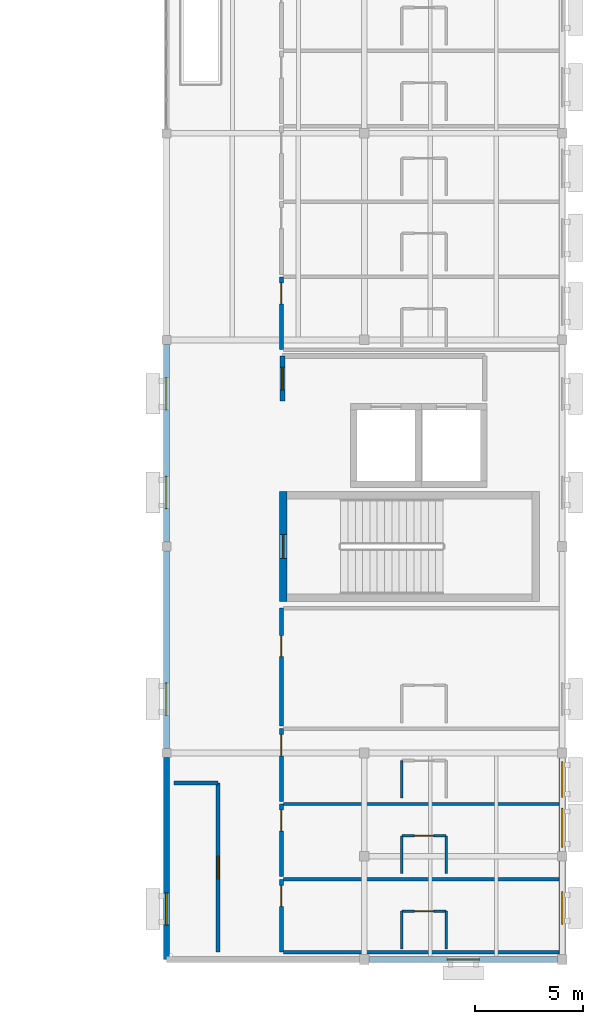
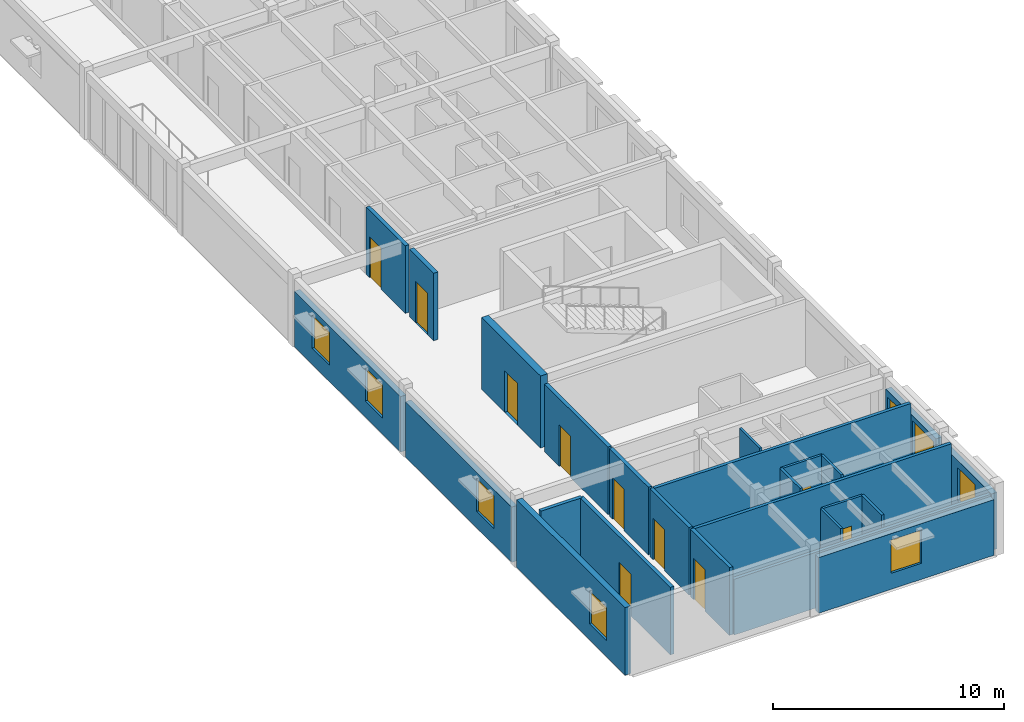
# One storey, part 6 of 17: 25 walls, 10 doors, 8 windows, 18 openings.
"""IFC4 building model written with IfcOpenShell, lengths in metres."""

from ifc_helpers import new_model, si_unit, direction, frame, frame_2d, origin, place, context, subcontext, project, spatial, rectangle, extrude, material, layer, layer_set, type_object, element, fill, save


model = new_model("IFC4")

# Units and contexts
model_context = context("Model", 3, precision=1e-05, world=origin(), true_north=direction((0.0, 1.0)))
body_context = subcontext(model_context, "Body", "Model", "MODEL_VIEW")
ifc_project = project(units=[si_unit("LENGTHUNIT", "METRE"), si_unit("AREAUNIT", "SQUARE_METRE"), si_unit("VOLUMEUNIT", "CUBIC_METRE"), si_unit("PLANEANGLEUNIT", "RADIAN"), si_unit("MASSUNIT", "GRAM", prefix="KILO")], contexts=[model_context])

# Site, building, storey
site_placement = place(None, origin())
site = spatial("IfcSite", under=ifc_project, at=site_placement, CompositionType="ELEMENT")
building_placement = place(site_placement, origin())
building = spatial("IfcBuilding", under=site, at=building_placement, Name="Veldera Park Congress Hotel", CompositionType="ELEMENT")
storey_placement = place(building_placement, frame((0.0, 0.0, 35.199951171875)))
storey = spatial("IfcBuildingStorey", under=building, at=storey_placement, Name="L08", CompositionType="ELEMENT", Elevation=35.199951171875)

# Wall, opening, window
ifc_material_1 = material(Name="Cross-laminated timber CLT V2M1.1", Category="wood")
ifc_layer_1 = layer(ifc_material_1, 0.280029296875)
ifc_layer_set_1 = layer_set([ifc_layer_1], Name="Cross-laminated timber CLT V2M1.1")
wall_type_1 = type_object("IfcWallType", Name="EW-CLT280", PredefinedType="STANDARD", material=ifc_layer_set_1)
wall_1_placement = place(storey_placement, frame((75.02294921875, -28.199951171875, 0.0), z_axis=(0.0, 0.0, 1.0), x_axis=(1.0, 0.0, 0.0)))
wall_1 = element("IfcWall", 1, at=wall_1_placement, inside=storey, type_object=wall_type_1, Name="L08 Exterior Wall EW3-L08-0370", PredefinedType="STANDARD", context=body_context, shape_type="SweptSolid", body=[
    extrude(rectangle(XDim=8.754150390625, YDim=0.280029296875, at=frame_2d((4.376953125, 0.0))), origin(), (0.0, 0.0, 1.0), 2.93994140625),
])
opening_1_placement = place(wall_1_placement, frame((3.626953125, 0.0, 0.85009765625)))
opening_1 = element("IfcOpeningElement", 2, at=opening_1_placement, cuts=wall_1, Name="Opening WIN-1500", PredefinedType="OPENING", context=body_context, shape_type="SweptSolid", body=[
    extrude(rectangle(XDim=1.5, YDim=1.75, at=frame_2d((0.75, 0.875))), frame((0.0, 0.152099609375, 0.0), z_axis=(0.0, -1.0, 0.0), x_axis=(1.0, 0.0, 0.0)), (0.0, 0.0, 1.0), 0.303955078125),
])
ifc_material_2 = material(Name="Low-E Triple Insulating Glass Unit (SHGC 0.22)", Category="glass")
window_type_1 = type_object("IfcWindowType", Name="WIN-1500", PartitioningType="SINGLE_PANEL", PredefinedType="WINDOW", material=ifc_material_2)
window_1_placement = place(opening_1_placement, origin())
window_1 = element("IfcWindow", 3, at=window_1_placement, inside=storey, type_object=window_type_1, Name="L08 Window WIN-1500 282", OverallHeight=1.75, OverallWidth=1.5, PartitioningType="SINGLE_PANEL", PredefinedType="WINDOW", context=body_context, shape_type="SweptSolid", body=[
    extrude(rectangle(XDim=1.5, YDim=1.75, at=frame_2d((0.75, 0.875))), frame((0.0, 0.030029296875, 0.0), z_axis=(0.0, -1.0, 0.0), x_axis=(1.0, 0.0, 0.0)), (0.0, 0.0, 1.0), 0.06005859375),
])
fill(opening_1, window_1)

wall_2_placement = place(storey_placement, frame((84.0, -27.97705078125, 0.0), z_axis=(0.0, 0.0, 1.0), x_axis=(0.0, 1.0, 0.0)))
wall_2 = element("IfcWall", 4, at=wall_2_placement, inside=storey, type_object=wall_type_1, Name="L08 Exterior Wall EW3-L08-0371", PredefinedType="STANDARD", context=body_context, shape_type="SweptSolid", body=[
    extrude(rectangle(XDim=4.35400390625, YDim=0.280029296875, at=frame_2d((2.177001953125, 0.0))), origin(), (0.0, 0.0, 1.0), 2.97998046875),
])
opening_2_placement = place(wall_2_placement, frame((1.427001953125, 0.0, 0.85009765625)))
opening_2 = element("IfcOpeningElement", 5, at=opening_2_placement, cuts=wall_2, Name="Opening WIN-1500", PredefinedType="OPENING", context=body_context, shape_type="SweptSolid", body=[
    extrude(rectangle(XDim=1.5, YDim=1.75, at=frame_2d((0.75, 0.875))), frame((0.0, 0.152099609375, 0.0), z_axis=(0.0, -1.0, 0.0), x_axis=(1.0, 0.0, 0.0)), (0.0, 0.0, 1.0), 0.303955078125),
])
window_2_placement = place(opening_2_placement, origin())
window_2 = element("IfcWindow", 6, at=window_2_placement, inside=storey, type_object=window_type_1, Name="L08 Window WIN-1500 283", OverallHeight=1.75, OverallWidth=1.5, PartitioningType="SINGLE_PANEL", PredefinedType="WINDOW", context=body_context, shape_type="SweptSolid", body=[
    extrude(rectangle(XDim=1.5, YDim=1.75, at=frame_2d((0.75, 0.875))), frame((0.0, 0.030029296875, 0.0), z_axis=(0.0, -1.0, 0.0), x_axis=(1.0, 0.0, 0.0)), (0.0, 0.0, 1.0), 0.06005859375),
])
fill(opening_2, window_2)

# Wall, openings, windows
wall_3_placement = place(storey_placement, frame((84.0, -23.177001953125, 0.0), z_axis=(0.0, 0.0, 1.0), x_axis=(0.0, 1.0, 0.0)))
wall_3 = element("IfcWall", 7, at=wall_3_placement, inside=storey, type_object=wall_type_1, Name="L08 Exterior Wall EW3-L08-0372", PredefinedType="STANDARD", context=body_context, shape_type="SweptSolid", body=[
    extrude(rectangle(XDim=4.35400390625, YDim=0.280029296875, at=frame_2d((2.177001953125, 0.0))), origin(), (0.0, 0.0, 1.0), 2.97998046875),
])
opening_3_placement = place(wall_3_placement, frame((0.20361328125, 0.0, 0.85009765625)))
opening_3 = element("IfcOpeningElement", 8, at=opening_3_placement, cuts=wall_3, Name="Opening WIN-1800", PredefinedType="OPENING", context=body_context, shape_type="SweptSolid", body=[
    extrude(rectangle(XDim=1.800048828125, YDim=1.85009765625, at=frame_2d((0.89990234375, 0.925048828125))), frame((0.0, 0.152099609375, 0.0), z_axis=(0.0, -1.0, 0.0), x_axis=(1.0, 0.0, 0.0)), (0.0, 0.0, 1.0), 0.303955078125),
])
opening_4_placement = place(wall_3_placement, frame((2.515380859375, 0.0, 0.85009765625)))
opening_4 = element("IfcOpeningElement", 9, at=opening_4_placement, cuts=wall_3, Name="Opening WIN-1650", PredefinedType="OPENING", context=body_context, shape_type="SweptSolid", body=[
    extrude(rectangle(XDim=1.64990234375, YDim=1.800048828125, at=frame_2d((0.824951171875, 0.89990234375))), frame((0.0, 0.152099609375, 0.0), z_axis=(0.0, -1.0, 0.0), x_axis=(1.0, 0.0, 0.0)), (0.0, 0.0, 1.0), 0.303955078125),
])
window_type_2 = type_object("IfcWindowType", Name="WIN-1650", PartitioningType="SINGLE_PANEL", PredefinedType="WINDOW", material=ifc_material_2)
window_3_placement = place(opening_4_placement, origin())
window_3 = element("IfcWindow", 10, at=window_3_placement, inside=storey, type_object=window_type_2, Name="L08 Window WIN-1650 553", OverallHeight=1.800048828125, OverallWidth=1.64990234375, PartitioningType="SINGLE_PANEL", PredefinedType="WINDOW", context=body_context, shape_type="SweptSolid", body=[
    extrude(rectangle(XDim=1.64990234375, YDim=1.800048828125, at=frame_2d((0.824951171875, 0.89990234375))), frame((0.0, 0.030029296875, 0.0), z_axis=(0.0, -1.0, 0.0), x_axis=(1.0, 0.0, 0.0)), (0.0, 0.0, 1.0), 0.06005859375),
])
fill(opening_4, window_3)
window_type_3 = type_object("IfcWindowType", Name="WIN-1800", PartitioningType="SINGLE_PANEL", PredefinedType="WINDOW", material=ifc_material_2)
window_4_placement = place(opening_3_placement, origin())
window_4 = element("IfcWindow", 11, at=window_4_placement, inside=storey, type_object=window_type_3, Name="L08 Window WIN-1800 552", OverallHeight=1.85009765625, OverallWidth=1.800048828125, PartitioningType="SINGLE_PANEL", PredefinedType="WINDOW", context=body_context, shape_type="SweptSolid", body=[
    extrude(rectangle(XDim=1.800048828125, YDim=1.85009765625, at=frame_2d((0.89990234375, 0.925048828125))), frame((0.0, 0.030029296875, 0.0), z_axis=(0.0, -1.0, 0.0), x_axis=(1.0, 0.0, 0.0)), (0.0, 0.0, 1.0), 0.06005859375),
])
fill(opening_3, window_4)

wall_4_placement = place(storey_placement, frame((65.60009765625, 0.39208984375, 0.0), z_axis=(0.0, 0.0, 1.0), x_axis=(0.0, -1.0, 0.0)))
wall_4 = element("IfcWall", 12, at=wall_4_placement, inside=storey, type_object=wall_type_1, Name="L08 Exterior Wall EW3-L08-0394", PredefinedType="STANDARD", context=body_context, shape_type="SweptSolid", body=[
    extrude(rectangle(XDim=9.18408203125, YDim=0.280029296875, at=frame_2d((4.592041015625, 0.0))), origin(), (0.0, 0.0, 1.0), 2.920166015625),
])
opening_5_placement = place(wall_4_placement, frame((1.5458984375, 0.0, 0.85009765625)))
opening_5 = element("IfcOpeningElement", 13, at=opening_5_placement, cuts=wall_4, Name="Opening WIN-1500", PredefinedType="OPENING", context=body_context, shape_type="SweptSolid", body=[
    extrude(rectangle(XDim=1.5, YDim=1.75, at=frame_2d((0.75, 0.875))), frame((0.0, 0.152099609375, 0.0), z_axis=(0.0, -1.0, 0.0), x_axis=(1.0, 0.0, 0.0)), (0.0, 0.0, 1.0), 0.303955078125),
])
opening_6_placement = place(wall_4_placement, frame((6.137939453125, 0.0, 0.85009765625)))
opening_6 = element("IfcOpeningElement", 14, at=opening_6_placement, cuts=wall_4, Name="Opening WIN-1500", PredefinedType="OPENING", context=body_context, shape_type="SweptSolid", body=[
    extrude(rectangle(XDim=1.5, YDim=1.75, at=frame_2d((0.75, 0.875))), frame((0.0, 0.152099609375, 0.0), z_axis=(0.0, -1.0, 0.0), x_axis=(1.0, 0.0, 0.0)), (0.0, 0.0, 1.0), 0.303955078125),
])
window_5_placement = place(opening_5_placement, origin())
window_5 = element("IfcWindow", 15, at=window_5_placement, inside=storey, type_object=window_type_1, Name="L08 Window WIN-1500 304", OverallHeight=1.75, OverallWidth=1.5, PartitioningType="SINGLE_PANEL", PredefinedType="WINDOW", context=body_context, shape_type="SweptSolid", body=[
    extrude(rectangle(XDim=1.5, YDim=1.75, at=frame_2d((0.75, 0.875))), frame((0.0, 0.030029296875, 0.0), z_axis=(0.0, -1.0, 0.0), x_axis=(1.0, 0.0, 0.0)), (0.0, 0.0, 1.0), 0.06005859375),
])
fill(opening_5, window_5)
window_6_placement = place(opening_6_placement, origin())
window_6 = element("IfcWindow", 16, at=window_6_placement, inside=storey, type_object=window_type_1, Name="L08 Window WIN-1500 305", OverallHeight=1.75, OverallWidth=1.5, PartitioningType="SINGLE_PANEL", PredefinedType="WINDOW", context=body_context, shape_type="SweptSolid", body=[
    extrude(rectangle(XDim=1.5, YDim=1.75, at=frame_2d((0.75, 0.875))), frame((0.0, 0.030029296875, 0.0), z_axis=(0.0, -1.0, 0.0), x_axis=(1.0, 0.0, 0.0)), (0.0, 0.0, 1.0), 0.06005859375),
])
fill(opening_6, window_6)

# Wall, opening, window
wall_5_placement = place(storey_placement, frame((65.60009765625, -9.2080078125, 0.0), z_axis=(0.0, 0.0, 1.0), x_axis=(0.0, -1.0, 0.0)))
wall_5 = element("IfcWall", 17, at=wall_5_placement, inside=storey, type_object=wall_type_1, Name="L08 Exterior Wall EW3-L08-0395", PredefinedType="STANDARD", context=body_context, shape_type="SweptSolid", body=[
    extrude(rectangle(XDim=9.18408203125, YDim=0.280029296875, at=frame_2d((4.592041015625, 0.0))), origin(), (0.0, 0.0, 1.0), 2.920166015625),
])
opening_7_placement = place(wall_5_placement, frame((6.137939453125, 0.0, 0.85009765625)))
opening_7 = element("IfcOpeningElement", 18, at=opening_7_placement, cuts=wall_5, Name="Opening WIN-1500", PredefinedType="OPENING", context=body_context, shape_type="SweptSolid", body=[
    extrude(rectangle(XDim=1.5, YDim=1.75, at=frame_2d((0.75, 0.875))), frame((0.0, 0.152099609375, 0.0), z_axis=(0.0, -1.0, 0.0), x_axis=(1.0, 0.0, 0.0)), (0.0, 0.0, 1.0), 0.303955078125),
])
window_7_placement = place(opening_7_placement, origin())
window_7 = element("IfcWindow", 19, at=window_7_placement, inside=storey, type_object=window_type_1, Name="L08 Window WIN-1500 306", OverallHeight=1.75, OverallWidth=1.5, PartitioningType="SINGLE_PANEL", PredefinedType="WINDOW", context=body_context, shape_type="SweptSolid", body=[
    extrude(rectangle(XDim=1.5, YDim=1.75, at=frame_2d((0.75, 0.875))), frame((0.0, 0.030029296875, 0.0), z_axis=(0.0, -1.0, 0.0), x_axis=(1.0, 0.0, 0.0)), (0.0, 0.0, 1.0), 0.06005859375),
])
fill(opening_7, window_7)

wall_6_placement = place(storey_placement, frame((65.60009765625, -18.80810546875, 0.0), z_axis=(0.0, 0.0, 1.0), x_axis=(0.0, -1.0, 0.0)))
wall_6 = element("IfcWall", 20, at=wall_6_placement, inside=storey, type_object=wall_type_1, Name="L08 Exterior Wall EW3-L08-0396", PredefinedType="STANDARD", context=body_context, shape_type="SweptSolid", body=[
    extrude(rectangle(XDim=9.391845703125, YDim=0.280029296875, at=frame_2d((4.69580078125, 0.0))), origin(), (0.0, 0.0, 1.0), 3.56494140625),
])
opening_8_placement = place(wall_6_placement, frame((6.2939453125, 0.0, 0.85009765625)))
opening_8 = element("IfcOpeningElement", 21, at=opening_8_placement, cuts=wall_6, Name="Opening WIN-1500", PredefinedType="OPENING", context=body_context, shape_type="SweptSolid", body=[
    extrude(rectangle(XDim=1.5, YDim=1.75, at=frame_2d((0.75, 0.875))), frame((0.0, 0.152099609375, 0.0), z_axis=(0.0, -1.0, 0.0), x_axis=(1.0, 0.0, 0.0)), (0.0, 0.0, 1.0), 0.303955078125),
])
window_8_placement = place(opening_8_placement, origin())
window_8 = element("IfcWindow", 22, at=window_8_placement, inside=storey, type_object=window_type_1, Name="L08 Window WIN-1500 307", OverallHeight=1.75, OverallWidth=1.5, PartitioningType="SINGLE_PANEL", PredefinedType="WINDOW", context=body_context, shape_type="SweptSolid", body=[
    extrude(rectangle(XDim=1.5, YDim=1.75, at=frame_2d((0.75, 0.875))), frame((0.0, 0.030029296875, 0.0), z_axis=(0.0, -1.0, 0.0), x_axis=(1.0, 0.0, 0.0)), (0.0, 0.0, 1.0), 0.06005859375),
])
fill(opening_8, window_8)

# Walls
ifc_material_3 = material(Name="Fire-Rated Gypsum Board on Cold-Formed Steel Studs", Category="steel")
ifc_layer_2 = layer(ifc_material_3, 0.1201171875)
ifc_layer_set_2 = layer_set([ifc_layer_2], Name="Fire-Rated Gypsum Board on Cold-Formed Steel Studs")
wall_type_2 = type_object("IfcWallType", Name="IW-BATH120", PredefinedType="PARTITIONING", material=ifc_layer_set_2)
for number, where, z_axis, x_axis, name in (
    (23, (76.550048828125, -27.699951171875, 0.0), (0.0, 0.0, 1.0), (0.0, 1.0, 0.0), "L08 Partition Wall IW3-L08-01481"),
    (24, (78.60009765625, -27.699951171875, 0.0), (0.0, 0.0, 1.0), (0.0, 1.0, 0.0), "L08 Partition Wall IW3-L08-01482"),
):
    element("IfcWall", number, at=place(storey_placement, frame(where, z_axis=z_axis, x_axis=x_axis)), inside=storey, type_object=wall_type_2, Name=name, PredefinedType="PARTITIONING", context=body_context, shape_type="SweptSolid", body=[
        extrude(rectangle(XDim=1.75, YDim=0.1201171875, at=frame_2d((0.875, 0.0))), origin(), (0.0, 0.0, 1.0), 3.56494140625),
    ])

# Wall, opening, door
wall_7_placement = place(storey_placement, frame((76.550048828125, -25.949951171875, 0.0), z_axis=(0.0, 0.0, 1.0), x_axis=(1.0, 0.0, 0.0)))
wall_7 = element("IfcWall", 25, at=wall_7_placement, inside=storey, type_object=wall_type_2, Name="L08 Partition Wall IW3-L08-01483", PredefinedType="PARTITIONING", context=body_context, shape_type="SweptSolid", body=[
    extrude(rectangle(XDim=2.050048828125, YDim=0.1201171875, at=frame_2d((1.02490234375, 0.0))), origin(), (0.0, 0.0, 1.0), 3.56494140625),
])
opening_9_placement = place(wall_7_placement, frame((0.574951171875, 0.0, 0.0)))
opening_9 = element("IfcOpeningElement", 26, at=opening_9_placement, cuts=wall_7, Name="Opening ID-BATH090", PredefinedType="OPENING", context=body_context, shape_type="SweptSolid", body=[
    extrude(rectangle(XDim=0.89990234375, YDim=2.14990234375, at=frame_2d((0.449951171875, 1.074951171875))), frame((0.0, 0.072021484375, 0.0), z_axis=(0.0, -1.0, 0.0), x_axis=(1.0, 0.0, 0.0)), (0.0, 0.0, 1.0), 0.14404296875),
])
ifc_material_4 = material(Name="Solid Core White Oak Architectural Door", Category="wood")
door_type_1 = type_object("IfcDoorType", Name="ID-BATH090", OperationType="NOTDEFINED", PredefinedType="DOOR", material=ifc_material_4)
door_1_placement = place(opening_9_placement, origin())
door_1 = element("IfcDoor", 27, at=door_1_placement, inside=storey, type_object=door_type_1, Name="L08 En-suite 237 Door ID3-L08-0613 (DR3-ID3-L08-0613)", OperationType="SINGLE_SWING_LEFT", OverallHeight=2.14990234375, OverallWidth=0.89990234375, PredefinedType="DOOR", context=body_context, shape_type="SweptSolid", body=[
    extrude(rectangle(XDim=0.89990234375, YDim=2.14990234375, at=frame_2d((0.449951171875, 1.074951171875))), frame((0.0, 0.02490234375, 0.0), z_axis=(0.0, -1.0, 0.0), x_axis=(1.0, 0.0, 0.0)), (0.0, 0.0, 1.0), 0.050048828125),
])
fill(opening_9, door_1)

# Walls
for number, where, z_axis, x_axis, name in (
    (28, (76.550048828125, -24.199951171875, 0.0), (0.0, 0.0, 1.0), (0.0, 1.0, 0.0), "L08 Partition Wall IW3-L08-01486"),
    (29, (78.60009765625, -24.199951171875, 0.0), (0.0, 0.0, 1.0), (0.0, 1.0, 0.0), "L08 Partition Wall IW3-L08-01487"),
):
    element("IfcWall", number, at=place(storey_placement, frame(where, z_axis=z_axis, x_axis=x_axis)), inside=storey, type_object=wall_type_2, Name=name, PredefinedType="PARTITIONING", context=body_context, shape_type="SweptSolid", body=[
        extrude(rectangle(XDim=1.75, YDim=0.1201171875, at=frame_2d((0.875, 0.0))), origin(), (0.0, 0.0, 1.0), 3.56494140625),
    ])

# Wall, opening, door
wall_8_placement = place(storey_placement, frame((76.550048828125, -22.449951171875, 0.0), z_axis=(0.0, 0.0, 1.0), x_axis=(1.0, 0.0, 0.0)))
wall_8 = element("IfcWall", 30, at=wall_8_placement, inside=storey, type_object=wall_type_2, Name="L08 Partition Wall IW3-L08-01488", PredefinedType="PARTITIONING", context=body_context, shape_type="SweptSolid", body=[
    extrude(rectangle(XDim=2.050048828125, YDim=0.1201171875, at=frame_2d((1.02490234375, 0.0))), origin(), (0.0, 0.0, 1.0), 3.56494140625),
])
opening_10_placement = place(wall_8_placement, frame((0.574951171875, 0.0, 0.0)))
opening_10 = element("IfcOpeningElement", 31, at=opening_10_placement, cuts=wall_8, Name="Opening ID-BATH090", PredefinedType="OPENING", context=body_context, shape_type="SweptSolid", body=[
    extrude(rectangle(XDim=0.89990234375, YDim=2.14990234375, at=frame_2d((0.449951171875, 1.074951171875))), frame((0.0, 0.072021484375, 0.0), z_axis=(0.0, -1.0, 0.0), x_axis=(1.0, 0.0, 0.0)), (0.0, 0.0, 1.0), 0.14404296875),
])
door_2_placement = place(opening_10_placement, origin())
door_2 = element("IfcDoor", 32, at=door_2_placement, inside=storey, type_object=door_type_1, Name="L08 En-suite 238 Door ID3-L08-0615 (DR3-ID3-L08-0615)", OperationType="SINGLE_SWING_LEFT", OverallHeight=2.14990234375, OverallWidth=0.89990234375, PredefinedType="DOOR", context=body_context, shape_type="SweptSolid", body=[
    extrude(rectangle(XDim=0.89990234375, YDim=2.14990234375, at=frame_2d((0.449951171875, 1.074951171875))), frame((0.0, 0.02490234375, 0.0), z_axis=(0.0, -1.0, 0.0), x_axis=(1.0, 0.0, 0.0)), (0.0, 0.0, 1.0), 0.050048828125),
])
fill(opening_10, door_2)

# Wall
wall_9_placement = place(storey_placement, frame((76.550048828125, -20.699951171875, 0.0), z_axis=(0.0, 0.0, 1.0), x_axis=(0.0, 1.0, 0.0)))
element("IfcWall", 33, at=wall_9_placement, inside=storey, type_object=wall_type_2, Name="L08 Partition Wall IW3-L08-01491", PredefinedType="PARTITIONING", context=body_context, shape_type="SweptSolid", body=[
    extrude(rectangle(XDim=1.75, YDim=0.1201171875, at=frame_2d((0.875, 0.0))), origin(), (0.0, 0.0, 1.0), 3.56494140625),
])

# Wall, opening, door
ifc_layer_3 = layer(ifc_material_3, 0.179931640625)
ifc_layer_set_3 = layer_set([ifc_layer_3], Name="Fire-Rated Gypsum Board on Cold-Formed Steel Studs")
wall_type_3 = type_object("IfcWallType", Name="IW-CORR180", PredefinedType="PARTITIONING", material=ifc_layer_set_3)
wall_10_placement = place(storey_placement, frame((68.0, -27.85009765625, 0.0), z_axis=(0.0, 0.0, 1.0), x_axis=(0.0, 1.0, 0.0)))
wall_10 = element("IfcWall", 34, at=wall_10_placement, inside=storey, type_object=wall_type_3, Name="L08 Partition Wall IW3-L08-00317", PredefinedType="PARTITIONING", context=body_context, shape_type="SweptSolid", body=[
    extrude(rectangle(XDim=7.85009765625, YDim=0.179931640625, at=frame_2d((3.925048828125, 0.0))), origin(), (0.0, 0.0, 1.0), 3.56494140625),
])
opening_11_placement = place(wall_10_placement, frame((3.39990234375, 0.0, 0.0)))
opening_11 = element("IfcOpeningElement", 35, at=opening_11_placement, cuts=wall_10, Name="Opening ID-MEET105", PredefinedType="OPENING", context=body_context, shape_type="SweptSolid", body=[
    extrude(rectangle(XDim=1.050048828125, YDim=2.199951171875, at=frame_2d((0.52490234375, 1.10009765625))), frame((0.0, 0.10205078125, 0.0), z_axis=(0.0, -1.0, 0.0), x_axis=(1.0, 0.0, 0.0)), (0.0, 0.0, 1.0), 0.203857421875),
])
door_type_2 = type_object("IfcDoorType", Name="ID-MEET105", OperationType="NOTDEFINED", PredefinedType="DOOR", material=ifc_material_4)
door_3_placement = place(opening_11_placement, origin())
door_3 = element("IfcDoor", 36, at=door_3_placement, inside=storey, type_object=door_type_2, Name="L08 Double-Height Wintergarden Atrium Lounge Door ID3-L08-0118 (DR3-ID3-L08-0118)", OperationType="SINGLE_SWING_LEFT", OverallHeight=2.199951171875, OverallWidth=1.050048828125, PredefinedType="DOOR", context=body_context, shape_type="SweptSolid", body=[
    extrude(rectangle(XDim=1.050048828125, YDim=2.199951171875, at=frame_2d((0.52490234375, 1.10009765625))), frame((0.0, 0.02490234375, 0.0), z_axis=(0.0, -1.0, 0.0), x_axis=(1.0, 0.0, 0.0)), (0.0, 0.0, 1.0), 0.050048828125),
])
fill(opening_11, door_3)

# Wall
wall_11_placement = place(storey_placement, frame((68.0, -20.0, 0.0), z_axis=(0.0, 0.0, 1.0), x_axis=(-1.0, 0.0, 0.0)))
element("IfcWall", 37, at=wall_11_placement, inside=storey, type_object=wall_type_3, Name="L08 Partition Wall IW3-L08-00318", PredefinedType="PARTITIONING", context=body_context, shape_type="SweptSolid", body=[
    extrude(rectangle(XDim=2.050048828125, YDim=0.179931640625, at=frame_2d((1.02490234375, 0.0))), origin(), (0.0, 0.0, 1.0), 3.56494140625),
])

# Wall, opening, door
wall_12_placement = place(storey_placement, frame((70.949951171875, -24.469970703125, 0.0), z_axis=(0.0, 0.0, 1.0), x_axis=(0.0, -1.0, 0.0)))
wall_12 = element("IfcWall", 38, at=wall_12_placement, inside=storey, type_object=wall_type_3, Name="L08 Corridor Wall IW3-L08-01478", PredefinedType="PARTITIONING", context=body_context, shape_type="SweptSolid", body=[
    extrude(rectangle(XDim=3.380126953125, YDim=0.179931640625, at=frame_2d((1.68994140625, 0.0))), origin(), (0.0, 0.0, 1.0), 3.56494140625),
])
opening_12_placement = place(wall_12_placement, frame((0.280029296875, 0.0, 0.0)))
opening_12 = element("IfcOpeningElement", 39, at=opening_12_placement, cuts=wall_12, Name="Opening ID-UNIT098", PredefinedType="OPENING", context=body_context, shape_type="SweptSolid", body=[
    extrude(rectangle(XDim=0.97998046875, YDim=2.179931640625, at=frame_2d((0.489990234375, 1.08984375))), frame((0.0, 0.10205078125, 0.0), z_axis=(0.0, -1.0, 0.0), x_axis=(1.0, 0.0, 0.0)), (0.0, 0.0, 1.0), 0.203857421875),
])
door_type_3 = type_object("IfcDoorType", Name="ID-UNIT098", OperationType="NOTDEFINED", PredefinedType="DOOR", material=ifc_material_4)
door_4_placement = place(opening_12_placement, origin())
door_4 = element("IfcDoor", 40, at=door_4_placement, inside=storey, type_object=door_type_3, Name="L08 Guestroom 237 Entry Door (DR3-UD3-L08-237)", OperationType="SINGLE_SWING_RIGHT", OverallHeight=2.179931640625, OverallWidth=0.97998046875, PredefinedType="DOOR", context=body_context, shape_type="SweptSolid", body=[
    extrude(rectangle(XDim=0.97998046875, YDim=2.179931640625, at=frame_2d((0.489990234375, 1.08984375))), frame((0.0, 0.02490234375, 0.0), z_axis=(0.0, -1.0, 0.0), x_axis=(1.0, 0.0, 0.0)), (0.0, 0.0, 1.0), 0.050048828125),
])
fill(opening_12, door_4)

wall_13_placement = place(storey_placement, frame((70.949951171875, -20.969970703125, 0.0), z_axis=(0.0, 0.0, 1.0), x_axis=(0.0, -1.0, 0.0)))
wall_13 = element("IfcWall", 41, at=wall_13_placement, inside=storey, type_object=wall_type_3, Name="L08 Corridor Wall IW3-L08-01484", PredefinedType="PARTITIONING", context=body_context, shape_type="SweptSolid", body=[
    extrude(rectangle(XDim=3.380126953125, YDim=0.179931640625, at=frame_2d((1.68994140625, 0.0))), origin(), (0.0, 0.0, 1.0), 3.56494140625),
])
opening_13_placement = place(wall_13_placement, frame((0.280029296875, 0.0, 0.0)))
opening_13 = element("IfcOpeningElement", 42, at=opening_13_placement, cuts=wall_13, Name="Opening ID-UNIT098", PredefinedType="OPENING", context=body_context, shape_type="SweptSolid", body=[
    extrude(rectangle(XDim=0.97998046875, YDim=2.179931640625, at=frame_2d((0.489990234375, 1.08984375))), frame((0.0, 0.10205078125, 0.0), z_axis=(0.0, -1.0, 0.0), x_axis=(1.0, 0.0, 0.0)), (0.0, 0.0, 1.0), 0.203857421875),
])
door_5_placement = place(opening_13_placement, origin())
door_5 = element("IfcDoor", 43, at=door_5_placement, inside=storey, type_object=door_type_3, Name="L08 Guestroom 238 Entry Door (DR3-UD3-L08-238)", OperationType="SINGLE_SWING_RIGHT", OverallHeight=2.179931640625, OverallWidth=0.97998046875, PredefinedType="DOOR", context=body_context, shape_type="SweptSolid", body=[
    extrude(rectangle(XDim=0.97998046875, YDim=2.179931640625, at=frame_2d((0.489990234375, 1.08984375))), frame((0.0, 0.02490234375, 0.0), z_axis=(0.0, -1.0, 0.0), x_axis=(1.0, 0.0, 0.0)), (0.0, 0.0, 1.0), 0.050048828125),
])
fill(opening_13, door_5)

wall_14_placement = place(storey_placement, frame((70.949951171875, -17.469970703125, 0.0), z_axis=(0.0, 0.0, 1.0), x_axis=(0.0, -1.0, 0.0)))
wall_14 = element("IfcWall", 44, at=wall_14_placement, inside=storey, type_object=wall_type_3, Name="L08 Corridor Wall IW3-L08-01489", PredefinedType="PARTITIONING", context=body_context, shape_type="SweptSolid", body=[
    extrude(rectangle(XDim=3.380126953125, YDim=0.179931640625, at=frame_2d((1.68994140625, 0.0))), origin(), (0.0, 0.0, 1.0), 3.56494140625),
])
opening_14_placement = place(wall_14_placement, frame((0.280029296875, 0.0, 0.0)))
opening_14 = element("IfcOpeningElement", 45, at=opening_14_placement, cuts=wall_14, Name="Opening ID-UNIT098", PredefinedType="OPENING", context=body_context, shape_type="SweptSolid", body=[
    extrude(rectangle(XDim=0.97998046875, YDim=2.179931640625, at=frame_2d((0.489990234375, 1.08984375))), frame((0.0, 0.10205078125, 0.0), z_axis=(0.0, -1.0, 0.0), x_axis=(1.0, 0.0, 0.0)), (0.0, 0.0, 1.0), 0.203857421875),
])
door_6_placement = place(opening_14_placement, origin())
door_6 = element("IfcDoor", 46, at=door_6_placement, inside=storey, type_object=door_type_3, Name="L08 Guestroom 239 Entry Door (DR3-UD3-L08-239)", OperationType="SINGLE_SWING_RIGHT", OverallHeight=2.179931640625, OverallWidth=0.97998046875, PredefinedType="DOOR", context=body_context, shape_type="SweptSolid", body=[
    extrude(rectangle(XDim=0.97998046875, YDim=2.179931640625, at=frame_2d((0.489990234375, 1.08984375))), frame((0.0, 0.02490234375, 0.0), z_axis=(0.0, -1.0, 0.0), x_axis=(1.0, 0.0, 0.0)), (0.0, 0.0, 1.0), 0.050048828125),
])
fill(opening_14, door_6)

wall_15_placement = place(storey_placement, frame((70.949951171875, -11.8701171875, 0.0), z_axis=(0.0, 0.0, 1.0), x_axis=(0.0, -1.0, 0.0)))
wall_15 = element("IfcWall", 47, at=wall_15_placement, inside=storey, type_object=wall_type_3, Name="L08 Corridor Wall IW3-L08-01494", PredefinedType="PARTITIONING", context=body_context, shape_type="SweptSolid", body=[
    extrude(rectangle(XDim=5.47998046875, YDim=0.179931640625, at=frame_2d((2.739990234375, 0.0))), origin(), (0.0, 0.0, 1.0), 3.56494140625),
])
opening_15_placement = place(wall_15_placement, frame((1.27001953125, 0.0, 0.0)))
opening_15 = element("IfcOpeningElement", 48, at=opening_15_placement, cuts=wall_15, Name="Opening ID-UNIT098", PredefinedType="OPENING", context=body_context, shape_type="SweptSolid", body=[
    extrude(rectangle(XDim=0.97998046875, YDim=2.179931640625, at=frame_2d((0.489990234375, 1.08984375))), frame((0.0, 0.10205078125, 0.0), z_axis=(0.0, -1.0, 0.0), x_axis=(1.0, 0.0, 0.0)), (0.0, 0.0, 1.0), 0.203857421875),
])
door_7_placement = place(opening_15_placement, origin())
door_7 = element("IfcDoor", 49, at=door_7_placement, inside=storey, type_object=door_type_3, Name="L08 Guestroom 240 Entry Door (DR3-UD3-L08-240)", OperationType="SINGLE_SWING_RIGHT", OverallHeight=2.179931640625, OverallWidth=0.97998046875, PredefinedType="DOOR", context=body_context, shape_type="SweptSolid", body=[
    extrude(rectangle(XDim=0.97998046875, YDim=2.179931640625, at=frame_2d((0.489990234375, 1.08984375))), frame((0.0, 0.02490234375, 0.0), z_axis=(0.0, -1.0, 0.0), x_axis=(1.0, 0.0, 0.0)), (0.0, 0.0, 1.0), 0.050048828125),
])
fill(opening_15, door_7)

wall_16_placement = place(storey_placement, frame((70.949951171875, 3.530029296875, 0.0), z_axis=(0.0, 0.0, 1.0), x_axis=(0.0, -1.0, 0.0)))
wall_16 = element("IfcWall", 50, at=wall_16_placement, inside=storey, type_object=wall_type_3, Name="L08 Corridor Wall IW3-L08-01499", PredefinedType="PARTITIONING", context=body_context, shape_type="SweptSolid", body=[
    extrude(rectangle(XDim=3.380126953125, YDim=0.179931640625, at=frame_2d((1.68994140625, 0.0))), origin(), (0.0, 0.0, 1.0), 3.56494140625),
])
opening_16_placement = place(wall_16_placement, frame((0.280029296875, 0.0, 0.0)))
opening_16 = element("IfcOpeningElement", 51, at=opening_16_placement, cuts=wall_16, Name="Opening ID-UNIT098", PredefinedType="OPENING", context=body_context, shape_type="SweptSolid", body=[
    extrude(rectangle(XDim=0.97998046875, YDim=2.179931640625, at=frame_2d((0.489990234375, 1.08984375))), frame((0.0, 0.10205078125, 0.0), z_axis=(0.0, -1.0, 0.0), x_axis=(1.0, 0.0, 0.0)), (0.0, 0.0, 1.0), 0.203857421875),
])
door_8_placement = place(opening_16_placement, origin())
door_8 = element("IfcDoor", 52, at=door_8_placement, inside=storey, type_object=door_type_3, Name="L08 Guestroom 241 Entry Door (DR3-UD3-L08-241)", OperationType="SINGLE_SWING_RIGHT", OverallHeight=2.179931640625, OverallWidth=0.97998046875, PredefinedType="DOOR", context=body_context, shape_type="SweptSolid", body=[
    extrude(rectangle(XDim=0.97998046875, YDim=2.179931640625, at=frame_2d((0.489990234375, 1.08984375))), frame((0.0, 0.02490234375, 0.0), z_axis=(0.0, -1.0, 0.0), x_axis=(1.0, 0.0, 0.0)), (0.0, 0.0, 1.0), 0.050048828125),
])
fill(opening_16, door_8)

ifc_material_5 = material(Name="Concrete f'c 40 MPa (5,800 psi)", Category="concrete")
ifc_layer_4 = layer(ifc_material_5, 0.219970703125)
ifc_layer_set_4 = layer_set([ifc_layer_4], Name="Concrete f'c 40 MPa (5,800 psi)")
wall_type_4 = type_object("IfcWallType", Name="IW-FIRE220", PredefinedType="STANDARD", material=ifc_layer_set_4)
wall_17_placement = place(storey_placement, frame((71.0, -0.14990234375, 0.0), z_axis=(0.0, 0.0, 1.0), x_axis=(0.0, -1.0, 0.0)))
wall_17 = element("IfcWall", 53, at=wall_17_placement, inside=storey, type_object=wall_type_4, Name="L08 Partition Wall IW3-L08-00306", PredefinedType="STANDARD", context=body_context, shape_type="SweptSolid", body=[
    extrude(rectangle(XDim=2.10009765625, YDim=0.219970703125, at=frame_2d((1.050048828125, 0.0))), origin(), (0.0, 0.0, 1.0), 3.56494140625),
])
opening_17_placement = place(wall_17_placement, frame((0.52490234375, 0.0, 0.0)))
opening_17 = element("IfcOpeningElement", 54, at=opening_17_placement, cuts=wall_17, Name="Opening ID-MEET105", PredefinedType="OPENING", context=body_context, shape_type="SweptSolid", body=[
    extrude(rectangle(XDim=1.050048828125, YDim=2.199951171875, at=frame_2d((0.52490234375, 1.10009765625))), frame((0.0, 0.1220703125, 0.0), z_axis=(0.0, -1.0, 0.0), x_axis=(1.0, 0.0, 0.0)), (0.0, 0.0, 1.0), 0.243896484375),
])
door_9_placement = place(opening_17_placement, origin())
door_9 = element("IfcDoor", 55, at=door_9_placement, inside=storey, type_object=door_type_2, Name="L08 Service Lift Lobby Door ID3-L08-0114 (DR3-ID3-L08-0114)", OperationType="SINGLE_SWING_LEFT", OverallHeight=2.199951171875, OverallWidth=1.050048828125, PredefinedType="DOOR", context=body_context, shape_type="SweptSolid", body=[
    extrude(rectangle(XDim=1.050048828125, YDim=2.199951171875, at=frame_2d((0.52490234375, 1.10009765625))), frame((0.0, 0.02490234375, 0.0), z_axis=(0.0, -1.0, 0.0), x_axis=(1.0, 0.0, 0.0)), (0.0, 0.0, 1.0), 0.050048828125),
])
fill(opening_17, door_9)

# Walls
ifc_layer_5 = layer(ifc_material_1, 0.159912109375)
ifc_layer_set_5 = layer_set([ifc_layer_5], Name="Cross-laminated timber CLT V2M1.1")
wall_type_5 = type_object("IfcWallType", Name="IW-UNIT160", PredefinedType="PARTITIONING", material=ifc_layer_set_5)
wall_18_placement = place(storey_placement, frame((71.050048828125, -27.85009765625, 0.0), z_axis=(0.0, 0.0, 1.0), x_axis=(1.0, 0.0, 0.0)))
element("IfcWall", 56, at=wall_18_placement, inside=storey, type_object=wall_type_5, Name="L08 Partition Wall IW3-L08-01479", PredefinedType="PARTITIONING", context=body_context, shape_type="SweptSolid", body=[
    extrude(rectangle(XDim=12.7900390625, YDim=0.159912109375, at=frame_2d((6.39501953125, 0.0))), origin(), (0.0, 0.0, 1.0), 2.93994140625),
])
for number, where, z_axis, x_axis, name in (
    (57, (71.050048828125, -24.469970703125, 0.0), (0.0, 0.0, 1.0), (1.0, 0.0, 0.0), "L08 Partition Wall IW3-L08-01480"),
    (58, (71.050048828125, -20.969970703125, 0.0), (0.0, 0.0, 1.0), (1.0, 0.0, 0.0), "L08 Partition Wall IW3-L08-01485"),
):
    element("IfcWall", number, at=place(storey_placement, frame(where, z_axis=z_axis, x_axis=x_axis)), inside=storey, type_object=wall_type_5, Name=name, PredefinedType="PARTITIONING", context=body_context, shape_type="SweptSolid", body=[
        extrude(rectangle(XDim=12.7900390625, YDim=0.159912109375, at=frame_2d((6.39501953125, 0.0))), origin(), (0.0, 0.0, 1.0), 3.56494140625),
    ])

# Wall, opening, door
ifc_layer_6 = layer(ifc_material_5, 0.35009765625)
ifc_layer_set_6 = layer_set([ifc_layer_6], Name="Concrete f'c 40 MPa (5,800 psi)")
wall_type_6 = type_object("IfcWallType", Name="SW-CORE350", PredefinedType="SHEAR", material=ifc_layer_set_6)
wall_19_placement = place(storey_placement, frame((71.02490234375, -6.449951171875, 0.0), z_axis=(0.0, 0.0, 1.0), x_axis=(0.0, -1.0, 0.0)))
wall_19 = element("IfcWall", 59, at=wall_19_placement, inside=storey, type_object=wall_type_6, Name="Stair ST2 Core Wall L08-W", PredefinedType="SHEAR", context=body_context, shape_type="SweptSolid", body=[
    extrude(rectangle(XDim=5.10009765625, YDim=0.35009765625, at=frame_2d((2.550048828125, 0.0))), origin(), (0.0, 0.0, 1.0), 3.800048828125),
])
opening_18_placement = place(wall_19_placement, frame((2.0, 0.0, 0.0)))
opening_18 = element("IfcOpeningElement", 60, at=opening_18_placement, cuts=wall_19, Name="Opening ID-STAIR110", PredefinedType="OPENING", context=body_context, shape_type="SweptSolid", body=[
    extrude(rectangle(XDim=1.10009765625, YDim=2.199951171875, at=frame_2d((0.550048828125, 1.10009765625))), frame((0.0, 0.18701171875, 0.0), z_axis=(0.0, -1.0, 0.0), x_axis=(1.0, 0.0, 0.0)), (0.0, 0.0, 1.0), 0.3740234375),
])
ifc_material_6 = material(Name="Hollow Metal Fire-Rated Steel Door", Category="steel")
door_type_4 = type_object("IfcDoorType", Name="ID-STAIR110", OperationType="NOTDEFINED", PredefinedType="DOOR", material=ifc_material_6)
door_10_placement = place(opening_18_placement, origin())
door_10 = element("IfcDoor", 61, at=door_10_placement, inside=storey, type_object=door_type_4, Name="L08 Stair ST2 Fire Door (DR3-SD-ST2-L08)", OperationType="SINGLE_SWING_LEFT", OverallHeight=2.199951171875, OverallWidth=1.10009765625, PredefinedType="DOOR", context=body_context, shape_type="SweptSolid", body=[
    extrude(rectangle(XDim=1.10009765625, YDim=2.199951171875, at=frame_2d((0.550048828125, 1.10009765625))), frame((0.0, 0.02490234375, 0.0), z_axis=(0.0, -1.0, 0.0), x_axis=(1.0, 0.0, 0.0)), (0.0, 0.0, 1.0), 0.050048828125),
])
fill(opening_18, door_10)

save(model, "model.ifc")
